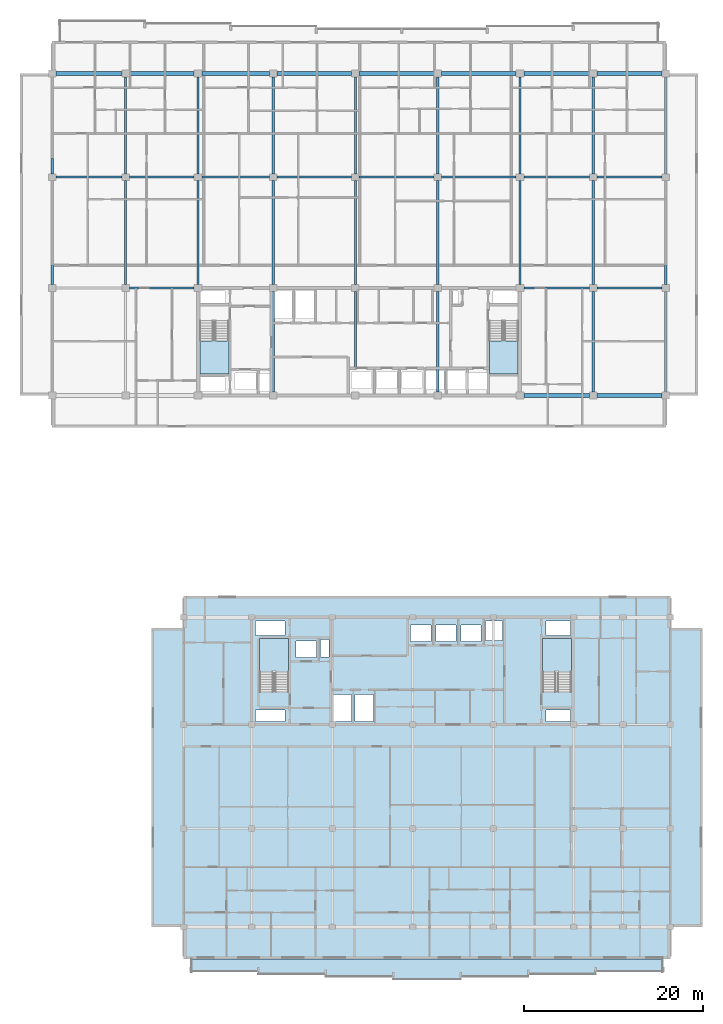
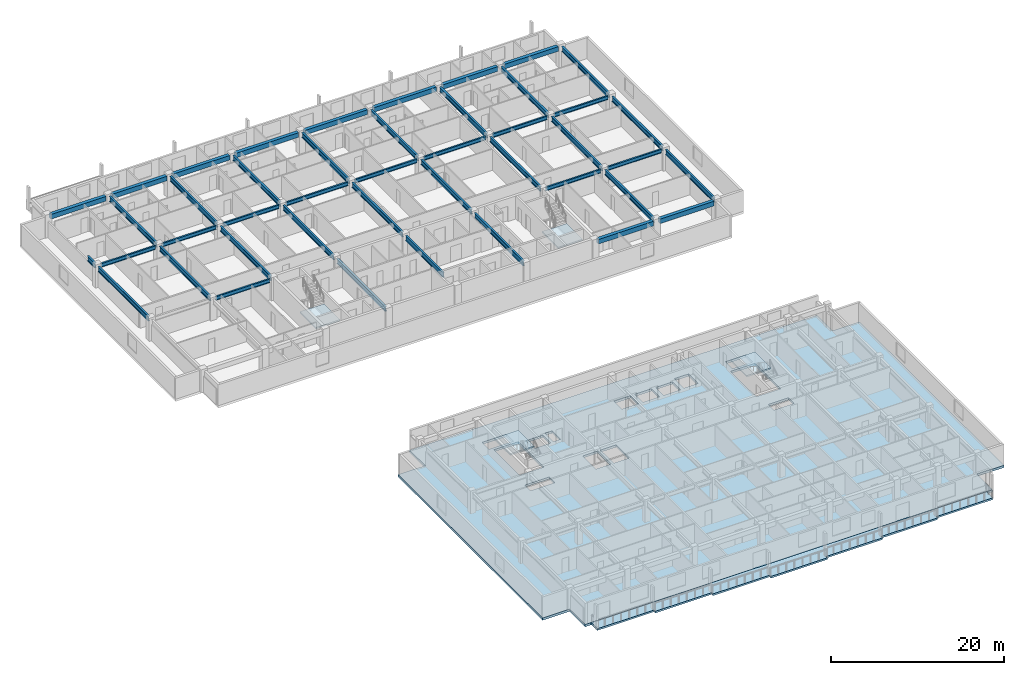
# One storey, part 2 of 23: 44 beams, 6 slabs, 4 elements without a shape of their own.
"""IFC4 building model written with IfcOpenShell, lengths in metres."""

import ifcopenshell
import ifcopenshell.guid

model = None  # the IFC model being written
_history = None  # IfcOwnerHistory: only IFC2X3 demands one
_inside = {}  # id of a spatial element -> (the spatial element, [elements in it])
_under = {}  # id of a project, library or spatial element -> (it, [spatial elements below it])
_declared = {}  # id of a project -> (the project, [libraries it declares])
_typed = {}  # id of a type object -> (the type object, [elements of that type])
_made_of = {}  # id of a material, layer set ... -> (it, [elements and type objects made of it])


def new_model(schema):
    """Start an empty IFC model of exactly this schema.

    Asked for "IFC4X3", IfcOpenShell would pick the latest addendum, in which some entities
    have other attributes; the version numbers below select the first issue.
    IFC2X3 requires an IfcOwnerHistory on every rooted entity: one is made here for all.
    """
    global model, _history
    if schema == "IFC4X3":
        model = ifcopenshell.file(schema_version=(4, 3, 0, 0))
    else:
        model = ifcopenshell.file(schema=schema)
    _inside.clear()
    _under.clear()
    _declared.clear()
    _typed.clear()
    _made_of.clear()
    _history = None
    if model.schema == "IFC2X3":
        org = make("IfcOrganization", Name="unknown")
        user = make(
            "IfcPersonAndOrganization",
            ThePerson=make("IfcPerson", FamilyName="unknown"),
            TheOrganization=org,
        )
        app = make(
            "IfcApplication",
            ApplicationDeveloper=org,
            Version="unknown",
            ApplicationFullName="unknown",
            ApplicationIdentifier="unknown",
        )
        _history = make(
            "IfcOwnerHistory",
            OwningUser=user,
            OwningApplication=app,
            ChangeAction="ADDED",
            CreationDate=0,
        )
    return model


def make(cls, **values):
    """One entity of the class cls with the attributes given. An attribute that is None is left unset."""
    return model.create_entity(
        cls, **{name: value for name, value in values.items() if value is not None}
    )


def rooted(cls, **values):
    """An entity with a GlobalId (a new one), such as an element, a storey or a relation."""
    return make(cls, GlobalId=ifcopenshell.guid.new(), OwnerHistory=_history, **values)


def si_unit(unit_type, name, prefix=None):
    """IfcSIUnit, for example si_unit("LENGTHUNIT", "METRE", prefix="MILLI")."""
    return make("IfcSIUnit", UnitType=unit_type, Prefix=prefix, Name=name)


def assignment(units):
    """IfcUnitAssignment: the units of a project."""
    return None if units is None else make("IfcUnitAssignment", Units=units)


def point(xyz):
    """IfcCartesianPoint."""
    return None if xyz is None else make("IfcCartesianPoint", Coordinates=xyz)


def direction(xyz):
    """IfcDirection."""
    return None if xyz is None else make("IfcDirection", DirectionRatios=xyz)


def frame(location, z_axis=None, x_axis=None):
    """IfcAxis2Placement3D, a coordinate frame: its origin and axes. An axis left out is left unset."""
    return make(
        "IfcAxis2Placement3D",
        Location=point(location),
        Axis=direction(z_axis),
        RefDirection=direction(x_axis),
    )


def frame_2d(location, x_axis=None):
    """IfcAxis2Placement2D, a coordinate frame in the plane: its origin and x axis."""
    return make(
        "IfcAxis2Placement2D", Location=point(location), RefDirection=direction(x_axis)
    )


def origin():
    """The frame at (0, 0, 0) with its axes left unset."""
    return frame((0.0, 0.0, 0.0))


def origin_2d():
    """The frame at (0, 0) in the plane with its x axis left unset."""
    return frame_2d((0.0, 0.0))


def place(relative_to, where):
    """IfcLocalPlacement: puts the frame where relative to a parent placement (None: the world)."""
    return make(
        "IfcLocalPlacement", PlacementRelTo=relative_to, RelativePlacement=where
    )


def context(
    kind, dimensions, precision=None, world=None, true_north=None, identifier=None
):
    """IfcGeometricRepresentationContext, for example the 3D "Model" context."""
    return make(
        "IfcGeometricRepresentationContext",
        ContextIdentifier=identifier,
        ContextType=kind,
        CoordinateSpaceDimension=dimensions,
        Precision=precision,
        WorldCoordinateSystem=world,
        TrueNorth=true_north,
    )


def subcontext(parent, identifier, kind, view, scale=None):
    """IfcGeometricRepresentationSubContext, for example "Body" below "Model"."""
    return make(
        "IfcGeometricRepresentationSubContext",
        ContextIdentifier=identifier,
        ContextType=kind,
        ParentContext=parent,
        TargetScale=scale,
        TargetView=view,
    )


def project(units=None, contexts=None):
    """IfcProject with its units and contexts."""
    return rooted(
        "IfcProject",
        Name="project",
        RepresentationContexts=contexts,
        UnitsInContext=assignment(units),
    )


def spatial(cls, under=None, at=None, **own):
    """A site, building, storey or space (cls), placed at a placement, below another one or the project."""
    s = rooted(cls, ObjectPlacement=at, **own)
    if under is not None:
        _under.setdefault(under.id(), (under, []))[1].append(s)
    return s


def polyline(points):
    """IfcPolyline through the points."""
    return make("IfcPolyline", Points=[point(p) for p in points])


def profile(cls, at=None, kind="AREA", **sizes):
    """A parametric profile (cls). Its sizes go by their IFC names, for example OverallWidth=200.0."""
    return make(cls, ProfileType=kind, Position=at, **sizes)


def rectangle(**sizes):
    """IfcRectangleProfileDef."""
    return profile("IfcRectangleProfileDef", **sizes)


def i_section(**sizes):
    """IfcIShapeProfileDef."""
    return profile("IfcIShapeProfileDef", **sizes)


def outline(outer, holes=None, kind="AREA"):
    """IfcArbitraryClosedProfileDef: a profile drawn as a closed curve; with holes, ...WithVoids."""
    if holes is None:
        return make("IfcArbitraryClosedProfileDef", ProfileType=kind, OuterCurve=outer)
    return make(
        "IfcArbitraryProfileDefWithVoids",
        ProfileType=kind,
        OuterCurve=outer,
        InnerCurves=holes,
    )


def extrude(swept, where, along, depth):
    """IfcExtrudedAreaSolid: the profile swept, set in the frame where, extruded along a direction by depth."""
    return make(
        "IfcExtrudedAreaSolid",
        SweptArea=swept,
        Position=where,
        ExtrudedDirection=direction(along),
        Depth=depth,
    )


def shape(context_of_items, identifier, shape_type, items):
    """IfcShapeRepresentation: the items that make up one representation, for example the "Body"."""
    return make(
        "IfcShapeRepresentation",
        ContextOfItems=context_of_items,
        RepresentationIdentifier=identifier,
        RepresentationType=shape_type,
        Items=items,
    )


def material(Name=None, Category=None):
    """IfcMaterial."""
    return make("IfcMaterial", Name=Name, Category=Category)


def layer(
    of_material, thickness, ventilated=None, Name=None, Category=None, Priority=None
):
    """IfcMaterialLayer: one layer of a wall or slab, of a material (None: an air gap)."""
    return make(
        "IfcMaterialLayer",
        Material=of_material,
        LayerThickness=thickness,
        IsVentilated=ventilated,
        Name=Name,
        Category=Category,
        Priority=Priority,
    )


def layer_set(layers, Name=None):
    """IfcMaterialLayerSet."""
    return make("IfcMaterialLayerSet", MaterialLayers=layers, LayerSetName=Name)


def material_profile(
    of_material, cross_section, Name=None, Category=None, Priority=None
):
    """IfcMaterialProfile: a cross section and its material."""
    return make(
        "IfcMaterialProfile",
        Name=Name,
        Material=of_material,
        Profile=cross_section,
        Priority=Priority,
        Category=Category,
    )


def profile_set(profiles, Name=None, composite=None):
    """IfcMaterialProfileSet."""
    return make(
        "IfcMaterialProfileSet",
        Name=Name,
        MaterialProfiles=profiles,
        CompositeProfile=composite,
    )


def made_of(thing, what):
    """Note that an element or type object is made of a material, layer set ...; save() writes the relation."""
    if what is not None:
        _made_of.setdefault(what.id(), (what, []))[1].append(thing)
    return thing


def type_object(cls, material=None, **own):
    """A type object (cls), such as IfcWallType, which elements share."""
    return made_of(rooted(cls, **own), material)


def element(
    cls,
    number,
    at=None,
    inside=None,
    cuts=None,
    type_object=None,
    material=None,
    context=None,
    identifier="Body",
    shape_type=None,
    held_by="IfcProductDefinitionShape",
    body=None,
    shapes=None,
    **own,
):
    """One element of the class cls, such as IfcWall. Its Tag is "e" and its number.

    at: its placement. inside: the storey or other place that contains it. cuts: it is an
    opening in that element (IfcRelVoidsElement). A single representation is given by context,
    identifier, shape_type and body (its items); several are given by shapes. held_by: the class
    of the entity that holds the representations. save() writes the other relations.
    """
    e = rooted(cls, Tag="e%d" % number, ObjectPlacement=at, **own)
    if body is not None:
        shapes = [shape(context, identifier, shape_type, body)]
    if shapes is not None:
        e.Representation = make(held_by, Representations=shapes)
    if inside is not None:
        _inside.setdefault(inside.id(), (inside, []))[1].append(e)
    if cuts is not None:
        rooted(
            "IfcRelVoidsElement", RelatingBuildingElement=cuts, RelatedOpeningElement=e
        )
    if type_object is not None:
        _typed.setdefault(type_object.id(), (type_object, []))[1].append(e)
    return made_of(e, material)


def aggregate(whole, parts):
    """IfcRelAggregates: a whole, such as a stair, and the parts it consists of."""
    return rooted("IfcRelAggregates", RelatingObject=whole, RelatedObjects=parts)


def save(model, path):
    """Write the relations noted so far, then the file.

    IfcRelAggregates (storeys below a building ...), IfcRelContainedInSpatialStructure (elements
    in a storey), IfcRelDefinesByType, IfcRelAssociatesMaterial and IfcRelDeclares: one each for
    every whole, place, type object, material and project.
    """
    for whole, parts in _under.values():
        aggregate(whole, parts)
    for where, things in _inside.values():
        rooted(
            "IfcRelContainedInSpatialStructure",
            RelatedElements=things,
            RelatingStructure=where,
        )
    for kind, things in _typed.values():
        rooted("IfcRelDefinesByType", RelatedObjects=things, RelatingType=kind)
    for what, things in _made_of.values():
        rooted("IfcRelAssociatesMaterial", RelatedObjects=things, RelatingMaterial=what)
    for by, libraries in _declared.values():
        rooted("IfcRelDeclares", RelatingContext=by, RelatedDefinitions=libraries)
    model.write(path)


model = new_model("IFC4")

# Units and contexts
model_context = context("Model", 3, precision=1e-05, world=origin(), true_north=direction((0.0, 1.0)))
body_context = subcontext(model_context, "Body", "Model", "MODEL_VIEW")
ifc_project = project(units=[si_unit("LENGTHUNIT", "METRE"), si_unit("AREAUNIT", "SQUARE_METRE"), si_unit("VOLUMEUNIT", "CUBIC_METRE"), si_unit("PLANEANGLEUNIT", "RADIAN"), si_unit("MASSUNIT", "GRAM", prefix="KILO")], contexts=[model_context])

# Site, building, storey
site_placement = place(None, origin())
site = spatial("IfcSite", under=ifc_project, at=site_placement, CompositionType="ELEMENT")
building_placement = place(site_placement, origin())
building = spatial("IfcBuilding", under=site, at=building_placement, Name="Korimba Cascade Residences", CompositionType="ELEMENT")
storey_placement = place(building_placement, frame((0.0, 0.0, 162.10009765625)))
storey = spatial("IfcBuildingStorey", under=building, at=storey_placement, Name="L46", CompositionType="ELEMENT", Elevation=162.10009765625)

# Beams
ifc_material_1 = material(Name="Precast concrete C40/50", Category="concrete")
ifc_material_profile_1 = material_profile(ifc_material_1, rectangle(XDim=0.449951171875, YDim=0.64990234375, at=origin_2d()), Name="Precast concrete C40/50")
ifc_profile_set_1 = profile_set([ifc_material_profile_1], Name="Precast concrete C40/50")
beam_type_1 = type_object("IfcBeamType", Name="BM-RC-SP650", PredefinedType="SPANDREL", material=ifc_profile_set_1)
beam_1_placement = place(storey_placement, frame((112.52490234375, 55.199951171875, 2.64501953125), z_axis=(1.0, 0.0, 0.0), x_axis=(0.0, 1.0, 0.0)))
element("IfcBeam", 1, at=beam_1_placement, inside=storey, type_object=beam_type_1, Name="L46 T1 E-W Girder Y1 Bay 7", PredefinedType="SPANDREL", context=body_context, shape_type="SweptSolid", body=[
    extrude(rectangle(XDim=0.449951171875, YDim=0.64990234375, at=origin_2d()), origin(), (0.0, 0.0, 1.0), 7.35009765625),
])
beam_2_placement = place(storey_placement, frame((120.72509765625, 55.199951171875, 2.64501953125), z_axis=(1.0, 0.0, 0.0), x_axis=(0.0, 1.0, 0.0)))
element("IfcBeam", 2, at=beam_2_placement, inside=storey, type_object=beam_type_1, Name="L46 T1 E-W Girder Y1 Bay 8", PredefinedType="SPANDREL", context=body_context, shape_type="SweptSolid", body=[
    extrude(rectangle(XDim=0.449951171875, YDim=0.64990234375, at=origin_2d()), origin(), (0.0, 0.0, 1.0), 7.25),
])
beam_3_placement = place(storey_placement, frame((60.22509765625, 91.199951171875, 2.64501953125), z_axis=(1.0, 0.0, 0.0), x_axis=(0.0, 1.0, 0.0)))
element("IfcBeam", 3, at=beam_3_placement, inside=storey, type_object=beam_type_1, Name="L46 T1 E-W Girder Y4 Bay 1", PredefinedType="SPANDREL", context=body_context, shape_type="SweptSolid", body=[
    extrude(rectangle(XDim=0.449951171875, YDim=0.64990234375, at=origin_2d()), origin(), (0.0, 0.0, 1.0), 7.349853515625),
])
beam_4_placement = place(storey_placement, frame((68.425048828125, 91.199951171875, 2.64501953125), z_axis=(1.0, 0.0, 0.0), x_axis=(0.0, 1.0, 0.0)))
element("IfcBeam", 4, at=beam_4_placement, inside=storey, type_object=beam_type_1, Name="L46 T1 E-W Girder Y4 Bay 2", PredefinedType="SPANDREL", context=body_context, shape_type="SweptSolid", body=[
    extrude(rectangle(XDim=0.449951171875, YDim=0.64990234375, at=origin_2d()), origin(), (0.0, 0.0, 1.0), 7.25),
])
beam_5_placement = place(storey_placement, frame((76.52490234375, 91.199951171875, 2.64501953125), z_axis=(1.0, 0.0, 0.0), x_axis=(0.0, 1.0, 0.0)))
element("IfcBeam", 5, at=beam_5_placement, inside=storey, type_object=beam_type_1, Name="L46 T1 E-W Girder Y4 Bay 3", PredefinedType="SPANDREL", context=body_context, shape_type="SweptSolid", body=[
    extrude(rectangle(XDim=0.449951171875, YDim=0.64990234375, at=origin_2d()), origin(), (0.0, 0.0, 1.0), 7.550048828125),
])
beam_6_placement = place(storey_placement, frame((84.925048828125, 91.199951171875, 2.64501953125), z_axis=(1.0, 0.0, 0.0), x_axis=(0.0, 1.0, 0.0)))
element("IfcBeam", 6, at=beam_6_placement, inside=storey, type_object=beam_type_1, Name="L46 T1 E-W Girder Y4 Bay 4", PredefinedType="SPANDREL", context=body_context, shape_type="SweptSolid", body=[
    extrude(rectangle(XDim=0.449951171875, YDim=0.64990234375, at=origin_2d()), origin(), (0.0, 0.0, 1.0), 8.349853515625),
])
for number, where, z_axis, x_axis, name in (
    (7, (94.125, 91.199951171875, 2.64501953125), (1.0, 0.0, 0.0), (0.0, 1.0, 0.0), "L46 T1 E-W Girder Y4 Bay 5"),
    (8, (103.324951171875, 91.199951171875, 2.64501953125), (1.0, 0.0, 0.0), (0.0, 1.0, 0.0), "L46 T1 E-W Girder Y4 Bay 6"),
):
    element("IfcBeam", number, at=place(storey_placement, frame(where, z_axis=z_axis, x_axis=x_axis)), inside=storey, type_object=beam_type_1, Name=name, PredefinedType="SPANDREL", context=body_context, shape_type="SweptSolid", body=[
        extrude(rectangle(XDim=0.449951171875, YDim=0.64990234375, at=origin_2d()), origin(), (0.0, 0.0, 1.0), 8.35009765625),
    ])
beam_7_placement = place(storey_placement, frame((112.52490234375, 91.199951171875, 2.64501953125), z_axis=(1.0, 0.0, 0.0), x_axis=(0.0, 1.0, 0.0)))
element("IfcBeam", 9, at=beam_7_placement, inside=storey, type_object=beam_type_1, Name="L46 T1 E-W Girder Y4 Bay 7", PredefinedType="SPANDREL", context=body_context, shape_type="SweptSolid", body=[
    extrude(rectangle(XDim=0.449951171875, YDim=0.64990234375, at=origin_2d()), origin(), (0.0, 0.0, 1.0), 7.35009765625),
])
beam_8_placement = place(storey_placement, frame((120.72509765625, 91.199951171875, 2.64501953125), z_axis=(1.0, 0.0, 0.0), x_axis=(0.0, 1.0, 0.0)))
element("IfcBeam", 10, at=beam_8_placement, inside=storey, type_object=beam_type_1, Name="L46 T1 E-W Girder Y4 Bay 8", PredefinedType="SPANDREL", context=body_context, shape_type="SweptSolid", body=[
    extrude(rectangle(XDim=0.449951171875, YDim=0.64990234375, at=origin_2d()), origin(), (0.0, 0.0, 1.0), 7.25),
])
ifc_material_2 = material(Name="Steel S355", Category="steel")
ifc_material_profile_2 = material_profile(ifc_material_2, i_section(OverallWidth=0.2099609375, OverallDepth=0.53662109375, WebThickness=0.0107421875, FlangeThickness=0.017333984375, FilletRadius=0.0126953125, at=origin_2d()), Name="Steel S355")
ifc_profile_set_2 = profile_set([ifc_material_profile_2], Name="Steel S355")
beam_type_2 = type_object("IfcBeamType", Name="BM-STL-UB533", PredefinedType="BEAM", material=ifc_profile_set_2)
beam_9_placement = place(storey_placement, frame((68.425048828125, 67.199951171875, 2.701416015625), z_axis=(1.0, 0.0, 0.0), x_axis=(0.0, 1.0, 0.0)))
element("IfcBeam", 11, at=beam_9_placement, inside=storey, type_object=beam_type_2, Name="L46 T1 E-W Girder Y2 Bay 2", PredefinedType="BEAM", context=body_context, shape_type="SweptSolid", body=[
    extrude(i_section(OverallWidth=0.2099609375, OverallDepth=0.53662109375, WebThickness=0.0107421875, FlangeThickness=0.017333984375, FilletRadius=0.0126953125, at=origin_2d()), origin(), (0.0, 0.0, 1.0), 7.25),
])
beam_10_placement = place(storey_placement, frame((112.52490234375, 67.199951171875, 2.701416015625), z_axis=(1.0, 0.0, 0.0), x_axis=(0.0, 1.0, 0.0)))
element("IfcBeam", 12, at=beam_10_placement, inside=storey, type_object=beam_type_2, Name="L46 T1 E-W Girder Y2 Bay 7", PredefinedType="BEAM", context=body_context, shape_type="SweptSolid", body=[
    extrude(i_section(OverallWidth=0.2099609375, OverallDepth=0.53662109375, WebThickness=0.0107421875, FlangeThickness=0.017333984375, FilletRadius=0.0126953125, at=origin_2d()), origin(), (0.0, 0.0, 1.0), 7.35009765625),
])
beam_11_placement = place(storey_placement, frame((120.72509765625, 67.199951171875, 2.701416015625), z_axis=(1.0, 0.0, 0.0), x_axis=(0.0, 1.0, 0.0)))
element("IfcBeam", 13, at=beam_11_placement, inside=storey, type_object=beam_type_2, Name="L46 T1 E-W Girder Y2 Bay 8", PredefinedType="BEAM", context=body_context, shape_type="SweptSolid", body=[
    extrude(i_section(OverallWidth=0.2099609375, OverallDepth=0.53662109375, WebThickness=0.0107421875, FlangeThickness=0.017333984375, FilletRadius=0.0126953125, at=origin_2d()), origin(), (0.0, 0.0, 1.0), 7.25),
])
beam_12_placement = place(storey_placement, frame((60.22509765625, 79.60009765625, 2.701416015625), z_axis=(1.0, 0.0, 0.0), x_axis=(0.0, 1.0, 0.0)))
element("IfcBeam", 14, at=beam_12_placement, inside=storey, type_object=beam_type_2, Name="L46 T1 E-W Girder Y3 Bay 1", PredefinedType="BEAM", context=body_context, shape_type="SweptSolid", body=[
    extrude(i_section(OverallWidth=0.2099609375, OverallDepth=0.53662109375, WebThickness=0.0107421875, FlangeThickness=0.017333984375, FilletRadius=0.0126953125, at=origin_2d()), origin(), (0.0, 0.0, 1.0), 7.349853515625),
])
beam_13_placement = place(storey_placement, frame((68.425048828125, 79.60009765625, 2.701416015625), z_axis=(1.0, 0.0, 0.0), x_axis=(0.0, 1.0, 0.0)))
element("IfcBeam", 15, at=beam_13_placement, inside=storey, type_object=beam_type_2, Name="L46 T1 E-W Girder Y3 Bay 2", PredefinedType="BEAM", context=body_context, shape_type="SweptSolid", body=[
    extrude(i_section(OverallWidth=0.2099609375, OverallDepth=0.53662109375, WebThickness=0.0107421875, FlangeThickness=0.017333984375, FilletRadius=0.0126953125, at=origin_2d()), origin(), (0.0, 0.0, 1.0), 7.25),
])
beam_14_placement = place(storey_placement, frame((76.52490234375, 79.60009765625, 2.701416015625), z_axis=(1.0, 0.0, 0.0), x_axis=(0.0, 1.0, 0.0)))
element("IfcBeam", 16, at=beam_14_placement, inside=storey, type_object=beam_type_2, Name="L46 T1 E-W Girder Y3 Bay 3", PredefinedType="BEAM", context=body_context, shape_type="SweptSolid", body=[
    extrude(i_section(OverallWidth=0.2099609375, OverallDepth=0.53662109375, WebThickness=0.0107421875, FlangeThickness=0.017333984375, FilletRadius=0.0126953125, at=origin_2d()), origin(), (0.0, 0.0, 1.0), 7.550048828125),
])
beam_15_placement = place(storey_placement, frame((84.925048828125, 79.60009765625, 2.701416015625), z_axis=(1.0, 0.0, 0.0), x_axis=(0.0, 1.0, 0.0)))
element("IfcBeam", 17, at=beam_15_placement, inside=storey, type_object=beam_type_2, Name="L46 T1 E-W Girder Y3 Bay 4", PredefinedType="BEAM", context=body_context, shape_type="SweptSolid", body=[
    extrude(i_section(OverallWidth=0.2099609375, OverallDepth=0.53662109375, WebThickness=0.0107421875, FlangeThickness=0.017333984375, FilletRadius=0.0126953125, at=origin_2d()), origin(), (0.0, 0.0, 1.0), 8.349853515625),
])
for number, where, z_axis, x_axis, name in (
    (18, (94.125, 79.60009765625, 2.701416015625), (1.0, 0.0, 0.0), (0.0, 1.0, 0.0), "L46 T1 E-W Girder Y3 Bay 5"),
    (19, (103.324951171875, 79.60009765625, 2.701416015625), (1.0, 0.0, 0.0), (0.0, 1.0, 0.0), "L46 T1 E-W Girder Y3 Bay 6"),
):
    element("IfcBeam", number, at=place(storey_placement, frame(where, z_axis=z_axis, x_axis=x_axis)), inside=storey, type_object=beam_type_2, Name=name, PredefinedType="BEAM", context=body_context, shape_type="SweptSolid", body=[
        extrude(i_section(OverallWidth=0.2099609375, OverallDepth=0.53662109375, WebThickness=0.0107421875, FlangeThickness=0.017333984375, FilletRadius=0.0126953125, at=origin_2d()), origin(), (0.0, 0.0, 1.0), 8.35009765625),
    ])
beam_16_placement = place(storey_placement, frame((112.52490234375, 79.60009765625, 2.701416015625), z_axis=(1.0, 0.0, 0.0), x_axis=(0.0, 1.0, 0.0)))
element("IfcBeam", 20, at=beam_16_placement, inside=storey, type_object=beam_type_2, Name="L46 T1 E-W Girder Y3 Bay 7", PredefinedType="BEAM", context=body_context, shape_type="SweptSolid", body=[
    extrude(i_section(OverallWidth=0.2099609375, OverallDepth=0.53662109375, WebThickness=0.0107421875, FlangeThickness=0.017333984375, FilletRadius=0.0126953125, at=origin_2d()), origin(), (0.0, 0.0, 1.0), 7.35009765625),
])
beam_17_placement = place(storey_placement, frame((120.72509765625, 79.60009765625, 2.701416015625), z_axis=(1.0, 0.0, 0.0), x_axis=(0.0, 1.0, 0.0)))
element("IfcBeam", 21, at=beam_17_placement, inside=storey, type_object=beam_type_2, Name="L46 T1 E-W Girder Y3 Bay 8", PredefinedType="BEAM", context=body_context, shape_type="SweptSolid", body=[
    extrude(i_section(OverallWidth=0.2099609375, OverallDepth=0.53662109375, WebThickness=0.0107421875, FlangeThickness=0.017333984375, FilletRadius=0.0126953125, at=origin_2d()), origin(), (0.0, 0.0, 1.0), 7.25),
])
ifc_material_profile_3 = material_profile(ifc_material_2, i_section(OverallWidth=0.255859375, OverallDepth=0.69287109375, WebThickness=0.014404296875, FlangeThickness=0.023681640625, FilletRadius=0.01513671875, at=origin_2d()), Name="Steel S355")
ifc_profile_set_3 = profile_set([ifc_material_profile_3], Name="Steel S355")
beam_type_3 = type_object("IfcBeamType", Name="BM-STL-UB686", PredefinedType="BEAM", material=ifc_profile_set_3)
beam_18_placement = place(storey_placement, frame((59.800048828125, 67.574951171875, 2.623291015625), z_axis=(0.0, 1.0, 0.0), x_axis=(-1.0, 0.0, 0.0)))
element("IfcBeam", 22, at=beam_18_placement, inside=storey, type_object=beam_type_3, Name="L46 T1 N-S Girder X1 Seg 2", PredefinedType="BEAM", context=body_context, shape_type="SweptSolid", body=[
    extrude(i_section(OverallWidth=0.255859375, OverallDepth=0.69287109375, WebThickness=0.014404296875, FlangeThickness=0.023681640625, FilletRadius=0.01513671875, at=origin_2d()), origin(), (0.0, 0.0, 1.0), 11.650146484375),
])
beam_19_placement = place(storey_placement, frame((59.800048828125, 79.97509765625, 2.623291015625), z_axis=(0.0, 1.0, 0.0), x_axis=(-1.0, 0.0, 0.0)))
element("IfcBeam", 23, at=beam_19_placement, inside=storey, type_object=beam_type_3, Name="L46 T1 N-S Girder X1 Seg 3", PredefinedType="BEAM", context=body_context, shape_type="SweptSolid", body=[
    extrude(i_section(OverallWidth=0.255859375, OverallDepth=0.69287109375, WebThickness=0.014404296875, FlangeThickness=0.023681640625, FilletRadius=0.01513671875, at=origin_2d()), origin(), (0.0, 0.0, 1.0), 1.724853515625),
])
beam_20_placement = place(storey_placement, frame((68.0, 67.574951171875, 2.623291015625), z_axis=(0.0, 1.0, 0.0), x_axis=(-1.0, 0.0, 0.0)))
element("IfcBeam", 24, at=beam_20_placement, inside=storey, type_object=beam_type_3, Name="L46 T1 N-S Girder X2 Seg 2", PredefinedType="BEAM", context=body_context, shape_type="SweptSolid", body=[
    extrude(i_section(OverallWidth=0.255859375, OverallDepth=0.69287109375, WebThickness=0.014404296875, FlangeThickness=0.023681640625, FilletRadius=0.01513671875, at=origin_2d()), origin(), (0.0, 0.0, 1.0), 11.650146484375),
])
beam_21_placement = place(storey_placement, frame((68.0, 79.97509765625, 2.623291015625), z_axis=(0.0, 1.0, 0.0), x_axis=(-1.0, 0.0, 0.0)))
element("IfcBeam", 25, at=beam_21_placement, inside=storey, type_object=beam_type_3, Name="L46 T1 N-S Girder X2 Seg 3", PredefinedType="BEAM", context=body_context, shape_type="SweptSolid", body=[
    extrude(i_section(OverallWidth=0.255859375, OverallDepth=0.69287109375, WebThickness=0.014404296875, FlangeThickness=0.023681640625, FilletRadius=0.01513671875, at=origin_2d()), origin(), (0.0, 0.0, 1.0), 10.849853515625),
])
beam_22_placement = place(storey_placement, frame((76.10009765625, 67.574951171875, 2.623291015625), z_axis=(0.0, 1.0, 0.0), x_axis=(-1.0, 0.0, 0.0)))
element("IfcBeam", 26, at=beam_22_placement, inside=storey, type_object=beam_type_3, Name="L46 T1 N-S Girder X3 Seg 2", PredefinedType="BEAM", context=body_context, shape_type="SweptSolid", body=[
    extrude(i_section(OverallWidth=0.255859375, OverallDepth=0.69287109375, WebThickness=0.014404296875, FlangeThickness=0.023681640625, FilletRadius=0.01513671875, at=origin_2d()), origin(), (0.0, 0.0, 1.0), 11.650146484375),
])
beam_23_placement = place(storey_placement, frame((76.10009765625, 79.97509765625, 2.623291015625), z_axis=(0.0, 1.0, 0.0), x_axis=(-1.0, 0.0, 0.0)))
element("IfcBeam", 27, at=beam_23_placement, inside=storey, type_object=beam_type_3, Name="L46 T1 N-S Girder X3 Seg 3", PredefinedType="BEAM", context=body_context, shape_type="SweptSolid", body=[
    extrude(i_section(OverallWidth=0.255859375, OverallDepth=0.69287109375, WebThickness=0.014404296875, FlangeThickness=0.023681640625, FilletRadius=0.01513671875, at=origin_2d()), origin(), (0.0, 0.0, 1.0), 10.849853515625),
])
beam_24_placement = place(storey_placement, frame((84.5, 55.574951171875, 2.623291015625), z_axis=(0.0, 1.0, 0.0), x_axis=(-1.0, 0.0, 0.0)))
element("IfcBeam", 28, at=beam_24_placement, inside=storey, type_object=beam_type_3, Name="L46 T1 N-S Girder X4 Seg 1", PredefinedType="BEAM", context=body_context, shape_type="SweptSolid", body=[
    extrude(i_section(OverallWidth=0.255859375, OverallDepth=0.69287109375, WebThickness=0.014404296875, FlangeThickness=0.023681640625, FilletRadius=0.01513671875, at=origin_2d()), origin(), (0.0, 0.0, 1.0), 11.25),
])
beam_25_placement = place(storey_placement, frame((84.5, 67.574951171875, 2.623291015625), z_axis=(0.0, 1.0, 0.0), x_axis=(-1.0, 0.0, 0.0)))
element("IfcBeam", 29, at=beam_25_placement, inside=storey, type_object=beam_type_3, Name="L46 T1 N-S Girder X4 Seg 2", PredefinedType="BEAM", context=body_context, shape_type="SweptSolid", body=[
    extrude(i_section(OverallWidth=0.255859375, OverallDepth=0.69287109375, WebThickness=0.014404296875, FlangeThickness=0.023681640625, FilletRadius=0.01513671875, at=origin_2d()), origin(), (0.0, 0.0, 1.0), 11.650146484375),
])
beam_26_placement = place(storey_placement, frame((84.5, 79.97509765625, 2.623291015625), z_axis=(0.0, 1.0, 0.0), x_axis=(-1.0, 0.0, 0.0)))
element("IfcBeam", 30, at=beam_26_placement, inside=storey, type_object=beam_type_3, Name="L46 T1 N-S Girder X4 Seg 3", PredefinedType="BEAM", context=body_context, shape_type="SweptSolid", body=[
    extrude(i_section(OverallWidth=0.255859375, OverallDepth=0.69287109375, WebThickness=0.014404296875, FlangeThickness=0.023681640625, FilletRadius=0.01513671875, at=origin_2d()), origin(), (0.0, 0.0, 1.0), 10.849853515625),
])
beam_27_placement = place(storey_placement, frame((93.699951171875, 58.159912109375, 2.623291015625), z_axis=(0.0, 1.0, 0.0), x_axis=(-1.0, 0.0, 0.0)))
element("IfcBeam", 31, at=beam_27_placement, inside=storey, type_object=beam_type_3, Name="L46 T1 N-S Girder X5 Seg 1", PredefinedType="BEAM", context=body_context, shape_type="SweptSolid", body=[
    extrude(i_section(OverallWidth=0.255859375, OverallDepth=0.69287109375, WebThickness=0.014404296875, FlangeThickness=0.023681640625, FilletRadius=0.01513671875, at=origin_2d()), origin(), (0.0, 0.0, 1.0), 8.6650390625),
])
beam_28_placement = place(storey_placement, frame((93.699951171875, 67.574951171875, 2.623291015625), z_axis=(0.0, 1.0, 0.0), x_axis=(-1.0, 0.0, 0.0)))
element("IfcBeam", 32, at=beam_28_placement, inside=storey, type_object=beam_type_3, Name="L46 T1 N-S Girder X5 Seg 2", PredefinedType="BEAM", context=body_context, shape_type="SweptSolid", body=[
    extrude(i_section(OverallWidth=0.255859375, OverallDepth=0.69287109375, WebThickness=0.014404296875, FlangeThickness=0.023681640625, FilletRadius=0.01513671875, at=origin_2d()), origin(), (0.0, 0.0, 1.0), 11.650146484375),
])
beam_29_placement = place(storey_placement, frame((93.699951171875, 79.97509765625, 2.623291015625), z_axis=(0.0, 1.0, 0.0), x_axis=(-1.0, 0.0, 0.0)))
element("IfcBeam", 33, at=beam_29_placement, inside=storey, type_object=beam_type_3, Name="L46 T1 N-S Girder X5 Seg 3", PredefinedType="BEAM", context=body_context, shape_type="SweptSolid", body=[
    extrude(i_section(OverallWidth=0.255859375, OverallDepth=0.69287109375, WebThickness=0.014404296875, FlangeThickness=0.023681640625, FilletRadius=0.01513671875, at=origin_2d()), origin(), (0.0, 0.0, 1.0), 10.849853515625),
])
beam_30_placement = place(storey_placement, frame((102.89990234375, 55.574951171875, 2.623291015625), z_axis=(0.0, 1.0, 0.0), x_axis=(-1.0, 0.0, 0.0)))
element("IfcBeam", 34, at=beam_30_placement, inside=storey, type_object=beam_type_3, Name="L46 T1 N-S Girder X6 Seg 1", PredefinedType="BEAM", context=body_context, shape_type="SweptSolid", body=[
    extrude(i_section(OverallWidth=0.255859375, OverallDepth=0.69287109375, WebThickness=0.014404296875, FlangeThickness=0.023681640625, FilletRadius=0.01513671875, at=origin_2d()), origin(), (0.0, 0.0, 1.0), 11.25),
])
beam_31_placement = place(storey_placement, frame((102.89990234375, 67.574951171875, 2.623291015625), z_axis=(0.0, 1.0, 0.0), x_axis=(-1.0, 0.0, 0.0)))
element("IfcBeam", 35, at=beam_31_placement, inside=storey, type_object=beam_type_3, Name="L46 T1 N-S Girder X6 Seg 2", PredefinedType="BEAM", context=body_context, shape_type="SweptSolid", body=[
    extrude(i_section(OverallWidth=0.255859375, OverallDepth=0.69287109375, WebThickness=0.014404296875, FlangeThickness=0.023681640625, FilletRadius=0.01513671875, at=origin_2d()), origin(), (0.0, 0.0, 1.0), 11.650146484375),
])
beam_32_placement = place(storey_placement, frame((102.89990234375, 79.97509765625, 2.623291015625), z_axis=(0.0, 1.0, 0.0), x_axis=(-1.0, 0.0, 0.0)))
element("IfcBeam", 36, at=beam_32_placement, inside=storey, type_object=beam_type_3, Name="L46 T1 N-S Girder X6 Seg 3", PredefinedType="BEAM", context=body_context, shape_type="SweptSolid", body=[
    extrude(i_section(OverallWidth=0.255859375, OverallDepth=0.69287109375, WebThickness=0.014404296875, FlangeThickness=0.023681640625, FilletRadius=0.01513671875, at=origin_2d()), origin(), (0.0, 0.0, 1.0), 10.849853515625),
])
beam_33_placement = place(storey_placement, frame((112.10009765625, 67.574951171875, 2.623291015625), z_axis=(0.0, 1.0, 0.0), x_axis=(-1.0, 0.0, 0.0)))
element("IfcBeam", 37, at=beam_33_placement, inside=storey, type_object=beam_type_3, Name="L46 T1 N-S Girder X7 Seg 2", PredefinedType="BEAM", context=body_context, shape_type="SweptSolid", body=[
    extrude(i_section(OverallWidth=0.255859375, OverallDepth=0.69287109375, WebThickness=0.014404296875, FlangeThickness=0.023681640625, FilletRadius=0.01513671875, at=origin_2d()), origin(), (0.0, 0.0, 1.0), 11.650146484375),
])
beam_34_placement = place(storey_placement, frame((112.10009765625, 79.97509765625, 2.623291015625), z_axis=(0.0, 1.0, 0.0), x_axis=(-1.0, 0.0, 0.0)))
element("IfcBeam", 38, at=beam_34_placement, inside=storey, type_object=beam_type_3, Name="L46 T1 N-S Girder X7 Seg 3", PredefinedType="BEAM", context=body_context, shape_type="SweptSolid", body=[
    extrude(i_section(OverallWidth=0.255859375, OverallDepth=0.69287109375, WebThickness=0.014404296875, FlangeThickness=0.023681640625, FilletRadius=0.01513671875, at=origin_2d()), origin(), (0.0, 0.0, 1.0), 10.849853515625),
])
beam_35_placement = place(storey_placement, frame((120.300048828125, 55.574951171875, 2.623291015625), z_axis=(0.0, 1.0, 0.0), x_axis=(-1.0, 0.0, 0.0)))
element("IfcBeam", 39, at=beam_35_placement, inside=storey, type_object=beam_type_3, Name="L46 T1 N-S Girder X8 Seg 1", PredefinedType="BEAM", context=body_context, shape_type="SweptSolid", body=[
    extrude(i_section(OverallWidth=0.255859375, OverallDepth=0.69287109375, WebThickness=0.014404296875, FlangeThickness=0.023681640625, FilletRadius=0.01513671875, at=origin_2d()), origin(), (0.0, 0.0, 1.0), 11.25),
])
beam_36_placement = place(storey_placement, frame((120.300048828125, 67.574951171875, 2.623291015625), z_axis=(0.0, 1.0, 0.0), x_axis=(-1.0, 0.0, 0.0)))
element("IfcBeam", 40, at=beam_36_placement, inside=storey, type_object=beam_type_3, Name="L46 T1 N-S Girder X8 Seg 2", PredefinedType="BEAM", context=body_context, shape_type="SweptSolid", body=[
    extrude(i_section(OverallWidth=0.255859375, OverallDepth=0.69287109375, WebThickness=0.014404296875, FlangeThickness=0.023681640625, FilletRadius=0.01513671875, at=origin_2d()), origin(), (0.0, 0.0, 1.0), 11.650146484375),
])
beam_37_placement = place(storey_placement, frame((120.300048828125, 79.97509765625, 2.623291015625), z_axis=(0.0, 1.0, 0.0), x_axis=(-1.0, 0.0, 0.0)))
element("IfcBeam", 41, at=beam_37_placement, inside=storey, type_object=beam_type_3, Name="L46 T1 N-S Girder X8 Seg 3", PredefinedType="BEAM", context=body_context, shape_type="SweptSolid", body=[
    extrude(i_section(OverallWidth=0.255859375, OverallDepth=0.69287109375, WebThickness=0.014404296875, FlangeThickness=0.023681640625, FilletRadius=0.01513671875, at=origin_2d()), origin(), (0.0, 0.0, 1.0), 10.849853515625),
])
beam_38_placement = place(storey_placement, frame((128.39990234375, 55.574951171875, 2.623291015625), z_axis=(0.0, 1.0, 0.0), x_axis=(-1.0, 0.0, 0.0)))
element("IfcBeam", 42, at=beam_38_placement, inside=storey, type_object=beam_type_3, Name="L46 T1 N-S Girder X9 Seg 1", PredefinedType="BEAM", context=body_context, shape_type="SweptSolid", body=[
    extrude(i_section(OverallWidth=0.255859375, OverallDepth=0.69287109375, WebThickness=0.014404296875, FlangeThickness=0.023681640625, FilletRadius=0.01513671875, at=origin_2d()), origin(), (0.0, 0.0, 1.0), 11.25),
])
beam_39_placement = place(storey_placement, frame((128.39990234375, 67.574951171875, 2.623291015625), z_axis=(0.0, 1.0, 0.0), x_axis=(-1.0, 0.0, 0.0)))
element("IfcBeam", 43, at=beam_39_placement, inside=storey, type_object=beam_type_3, Name="L46 T1 N-S Girder X9 Seg 2", PredefinedType="BEAM", context=body_context, shape_type="SweptSolid", body=[
    extrude(i_section(OverallWidth=0.255859375, OverallDepth=0.69287109375, WebThickness=0.014404296875, FlangeThickness=0.023681640625, FilletRadius=0.01513671875, at=origin_2d()), origin(), (0.0, 0.0, 1.0), 11.650146484375),
])
beam_40_placement = place(storey_placement, frame((128.39990234375, 79.97509765625, 2.623291015625), z_axis=(0.0, 1.0, 0.0), x_axis=(-1.0, 0.0, 0.0)))
element("IfcBeam", 44, at=beam_40_placement, inside=storey, type_object=beam_type_3, Name="L46 T1 N-S Girder X9 Seg 3", PredefinedType="BEAM", context=body_context, shape_type="SweptSolid", body=[
    extrude(i_section(OverallWidth=0.255859375, OverallDepth=0.69287109375, WebThickness=0.014404296875, FlangeThickness=0.023681640625, FilletRadius=0.01513671875, at=origin_2d()), origin(), (0.0, 0.0, 1.0), 10.849853515625),
])

# Stair, slab
ifc_material_3 = material(Name="Concrete C50/60", Category="concrete")
stair_type_1 = type_object("IfcStairType", Name="STR-W1-18R-1806", PredefinedType="HALF_TURN_STAIR", material=ifc_material_3)
stair_1_placement = place(storey_placement, origin())
stair_1 = element("IfcStair", 45, at=stair_1_placement, inside=storey, type_object=stair_type_1, Name="L46 Tower 1 West Fire Stair ST-W1", PredefinedType="HALF_TURN_STAIR")
ifc_layer_1 = layer(ifc_material_3, 0.199951171875)
ifc_layer_set_1 = layer_set([ifc_layer_1], Name="Concrete C50/60")
slab_type_1 = type_object("IfcSlabType", Name="SLB-LND-220", PredefinedType="LANDING", material=ifc_layer_set_1)
slab_1_placement = place(storey_placement, frame((0.0, 0.0, 1.4248046875)))
slab_1 = element("IfcSlab", 46, at=slab_1_placement, type_object=slab_type_1, Name="ST-W1 landing 1", PredefinedType="LANDING", context=body_context, shape_type="SweptSolid", body=[
    extrude(outline(polyline([(76.300048828125, 61.31005859375), (76.300048828125, 57.60009765625), (79.5400390625, 57.60009765625), (79.5400390625, 61.31005859375), (76.300048828125, 61.31005859375)])), origin(), (0.0, 0.0, 1.0), 0.2001953125),
])
aggregate(stair_1, [slab_1])

stair_type_2 = type_object("IfcStairType", Name="STR-W2-18R-1806", PredefinedType="HALF_TURN_STAIR", material=ifc_material_3)
stair_2_placement = place(storey_placement, origin())
stair_2 = element("IfcStair", 47, at=stair_2_placement, inside=storey, type_object=stair_type_2, Name="L46 Tower 1 East Fire Stair ST-W2", PredefinedType="HALF_TURN_STAIR")
slab_2_placement = place(storey_placement, frame((0.0, 0.0, 1.4248046875)))
slab_2 = element("IfcSlab", 48, at=slab_2_placement, type_object=slab_type_1, Name="ST-W2 landing 1", PredefinedType="LANDING", context=body_context, shape_type="SweptSolid", body=[
    extrude(outline(polyline([(108.659912109375, 61.31005859375), (108.659912109375, 57.60009765625), (111.89990234375, 57.60009765625), (111.89990234375, 61.31005859375), (108.659912109375, 61.31005859375)])), origin(), (0.0, 0.0, 1.0), 0.2001953125),
])
aggregate(stair_2, [slab_2])

stair_type_3 = type_object("IfcStairType", Name="STR-E1-18R-1806", PredefinedType="HALF_TURN_STAIR", material=ifc_material_3)
stair_3_placement = place(storey_placement, origin())
stair_3 = element("IfcStair", 49, at=stair_3_placement, inside=storey, type_object=stair_type_3, Name="L46 Tower 2 West Fire Stair ST-E1", PredefinedType="HALF_TURN_STAIR")
slab_3_placement = place(storey_placement, frame((0.0, 0.0, 1.4248046875)))
slab_3 = element("IfcSlab", 50, at=slab_3_placement, type_object=slab_type_1, Name="ST-E1 landing 1", PredefinedType="LANDING", context=body_context, shape_type="SweptSolid", body=[
    extrude(outline(polyline([(86.239990234375, 24.2900390625), (86.239990234375, 28.0), (83.0, 28.0), (83.0, 24.2900390625), (86.239990234375, 24.2900390625)])), origin(), (0.0, 0.0, 1.0), 0.2001953125),
])
aggregate(stair_3, [slab_3])

stair_type_4 = type_object("IfcStairType", Name="STR-E2-18R-1806", PredefinedType="HALF_TURN_STAIR", material=ifc_material_3)
stair_4_placement = place(storey_placement, origin())
stair_4 = element("IfcStair", 51, at=stair_4_placement, inside=storey, type_object=stair_type_4, Name="L46 Tower 2 East Fire Stair ST-E2", PredefinedType="HALF_TURN_STAIR")
slab_4_placement = place(storey_placement, frame((0.0, 0.0, 1.4248046875)))
slab_4 = element("IfcSlab", 52, at=slab_4_placement, type_object=slab_type_1, Name="ST-E2 landing 1", PredefinedType="LANDING", context=body_context, shape_type="SweptSolid", body=[
    extrude(outline(polyline([(117.840087890625, 24.2900390625), (117.840087890625, 28.0), (114.60009765625, 28.0), (114.60009765625, 24.2900390625), (117.840087890625, 24.2900390625)])), origin(), (0.0, 0.0, 1.0), 0.2001953125),
])
aggregate(stair_4, [slab_4])

# Slabs
ifc_layer_2 = layer(ifc_material_1, 0.239990234375)
ifc_layer_set_2 = layer_set([ifc_layer_2], Name="Precast concrete C40/50")
slab_type_2 = type_object("IfcSlabType", Name="SLB-LOG-240", PredefinedType="FLOOR", material=ifc_layer_set_2)
slab_5_placement = place(storey_placement, frame((0.0, 0.0, -0.239990234375)))
element("IfcSlab", 53, at=slab_5_placement, inside=storey, type_object=slab_type_2, Name="L46 Tower 2 South Loggia Slab", PredefinedType="FLOOR", context=body_context, shape_type="SweptSolid", body=[
    extrude(outline(polyline([(75.300048828125, -9.25), (82.843017578125, -9.25), (82.843017578125, -9.550048828125), (90.3857421875, -9.550048828125), (90.3857421875, -9.85009765625), (97.9287109375, -9.85009765625), (97.9287109375, -10.14990234375), (105.471435546875, -10.14990234375), (105.471435546875, -9.85009765625), (113.014404296875, -9.85009765625), (113.014404296875, -9.550048828125), (120.55712890625, -9.550048828125), (120.55712890625, -9.25), (128.10009765625, -9.25), (128.10009765625, -7.800048828125), (75.300048828125, -7.800048828125), (75.300048828125, -9.25)])), origin(), (0.0, 0.0, 1.0), 0.239990234375),
])
ifc_material_4 = material(Name="Concrete C65/80", Category="concrete")
ifc_layer_3 = layer(ifc_material_4, 0.320068359375)
ifc_layer_set_3 = layer_set([ifc_layer_3], Name="Concrete C65/80")
slab_type_3 = type_object("IfcSlabType", Name="SLB-TRF-320", PredefinedType="FLOOR", material=ifc_layer_set_3)
slab_6_placement = place(storey_placement, frame((0.0, 0.0, -0.320068359375)))
element("IfcSlab", 54, at=slab_6_placement, inside=storey, type_object=slab_type_3, Name="L46 Tower 2 Floor Slab", PredefinedType="FLOOR", context=body_context, shape_type="SweptSolid", body=[
    extrude(outline(polyline([(74.5, -7.800048828125), (128.89990234375, -7.800048828125), (128.89990234375, -4.199951171875), (132.5, -4.199951171875), (132.5, 29.199951171875), (128.89990234375, 29.199951171875), (128.89990234375, 32.800048828125), (74.5, 32.800048828125), (74.5, 29.199951171875), (70.89990234375, 29.199951171875), (70.89990234375, -4.199951171875), (74.5, -4.199951171875), (74.5, -7.800048828125)]), holes=[polyline([(86.239990234375, 22.0849609375), (86.239990234375, 28.0), (83.0, 28.0), (83.0, 22.0849609375), (86.239990234375, 22.0849609375)]), polyline([(117.840087890625, 22.0849609375), (117.840087890625, 28.0), (114.60009765625, 28.0), (114.60009765625, 22.0849609375), (117.840087890625, 22.0849609375)]), polyline([(87.030029296875, 25.8798828125), (89.3701171875, 25.8798828125), (89.3701171875, 27.719970703125), (87.030029296875, 27.719970703125), (87.030029296875, 25.8798828125)]), polyline([(99.8798828125, 27.679931640625), (102.1201171875, 27.679931640625), (102.1201171875, 29.52001953125), (99.8798828125, 29.52001953125), (99.8798828125, 27.679931640625)]), polyline([(102.679931640625, 27.679931640625), (104.919921875, 27.679931640625), (104.919921875, 29.52001953125), (102.679931640625, 29.52001953125), (102.679931640625, 27.679931640625)]), polyline([(105.47998046875, 27.679931640625), (107.719970703125, 27.679931640625), (107.719970703125, 29.52001953125), (105.47998046875, 29.52001953125), (105.47998046875, 27.679931640625)]), polyline([(89.780029296875, 25.97998046875), (90.719970703125, 25.97998046875), (90.719970703125, 27.919921875), (89.780029296875, 27.919921875), (89.780029296875, 25.97998046875)]), polyline([(82.530029296875, 18.72998046875), (85.800048828125, 18.72998046875), (85.800048828125, 20.0400390625), (82.530029296875, 20.0400390625), (82.530029296875, 18.72998046875)]), polyline([(82.530029296875, 28.360107421875), (85.800048828125, 28.360107421875), (85.800048828125, 29.969970703125), (82.530029296875, 29.969970703125), (82.530029296875, 28.360107421875)]), polyline([(108.22998046875, 27.780029296875), (110.1201171875, 27.780029296875), (110.1201171875, 29.969970703125), (108.22998046875, 29.969970703125), (108.22998046875, 27.780029296875)]), polyline([(91.22998046875, 18.72998046875), (93.27001953125, 18.72998046875), (93.27001953125, 21.780029296875), (91.22998046875, 21.780029296875), (91.22998046875, 18.72998046875)]), polyline([(93.6298828125, 18.72998046875), (95.719970703125, 18.72998046875), (95.719970703125, 21.780029296875), (93.6298828125, 21.780029296875), (93.6298828125, 18.72998046875)]), polyline([(115.02001953125, 18.72998046875), (117.739990234375, 18.72998046875), (117.739990234375, 20.0400390625), (115.02001953125, 20.0400390625), (115.02001953125, 18.72998046875)]), polyline([(115.02001953125, 28.360107421875), (117.739990234375, 28.360107421875), (117.739990234375, 29.969970703125), (115.02001953125, 29.969970703125), (115.02001953125, 28.360107421875)])]), origin(), (0.0, 0.0, 1.0), 0.320068359375),
])

save(model, "model.ifc")
